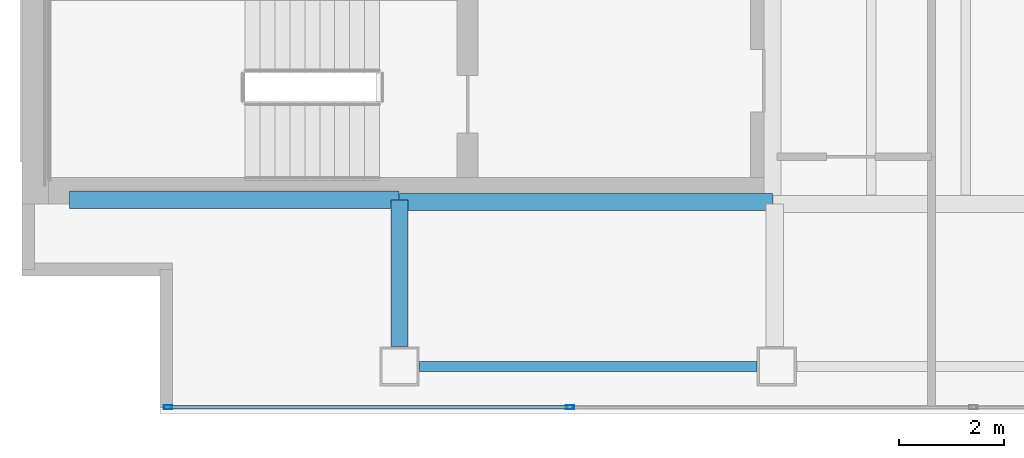
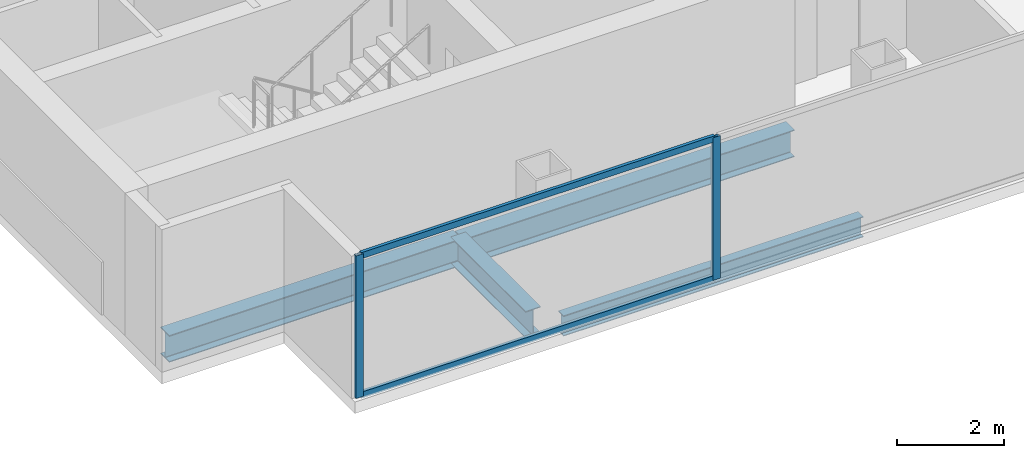
# One storey, part 2 of 23: 4 beams, 4 members, 1 element without a shape of its own.
"""IFC4 building model written with IfcOpenShell, lengths in metres."""

import ifcopenshell
import ifcopenshell.guid

model = None  # the IFC model being written
_history = None  # IfcOwnerHistory: only IFC2X3 demands one
_inside = {}  # id of a spatial element -> (the spatial element, [elements in it])
_under = {}  # id of a project, library or spatial element -> (it, [spatial elements below it])
_declared = {}  # id of a project -> (the project, [libraries it declares])
_typed = {}  # id of a type object -> (the type object, [elements of that type])
_made_of = {}  # id of a material, layer set ... -> (it, [elements and type objects made of it])


def new_model(schema):
    """Start an empty IFC model of exactly this schema.

    Asked for "IFC4X3", IfcOpenShell would pick the latest addendum, in which some entities
    have other attributes; the version numbers below select the first issue.
    IFC2X3 requires an IfcOwnerHistory on every rooted entity: one is made here for all.
    """
    global model, _history
    if schema == "IFC4X3":
        model = ifcopenshell.file(schema_version=(4, 3, 0, 0))
    else:
        model = ifcopenshell.file(schema=schema)
    _inside.clear()
    _under.clear()
    _declared.clear()
    _typed.clear()
    _made_of.clear()
    _history = None
    if model.schema == "IFC2X3":
        org = make("IfcOrganization", Name="unknown")
        user = make(
            "IfcPersonAndOrganization",
            ThePerson=make("IfcPerson", FamilyName="unknown"),
            TheOrganization=org,
        )
        app = make(
            "IfcApplication",
            ApplicationDeveloper=org,
            Version="unknown",
            ApplicationFullName="unknown",
            ApplicationIdentifier="unknown",
        )
        _history = make(
            "IfcOwnerHistory",
            OwningUser=user,
            OwningApplication=app,
            ChangeAction="ADDED",
            CreationDate=0,
        )
    return model


def make(cls, **values):
    """One entity of the class cls with the attributes given. An attribute that is None is left unset."""
    return model.create_entity(
        cls, **{name: value for name, value in values.items() if value is not None}
    )


def rooted(cls, **values):
    """An entity with a GlobalId (a new one), such as an element, a storey or a relation."""
    return make(cls, GlobalId=ifcopenshell.guid.new(), OwnerHistory=_history, **values)


def si_unit(unit_type, name, prefix=None):
    """IfcSIUnit, for example si_unit("LENGTHUNIT", "METRE", prefix="MILLI")."""
    return make("IfcSIUnit", UnitType=unit_type, Prefix=prefix, Name=name)


def assignment(units):
    """IfcUnitAssignment: the units of a project."""
    return None if units is None else make("IfcUnitAssignment", Units=units)


def point(xyz):
    """IfcCartesianPoint."""
    return None if xyz is None else make("IfcCartesianPoint", Coordinates=xyz)


def direction(xyz):
    """IfcDirection."""
    return None if xyz is None else make("IfcDirection", DirectionRatios=xyz)


def frame(location, z_axis=None, x_axis=None):
    """IfcAxis2Placement3D, a coordinate frame: its origin and axes. An axis left out is left unset."""
    return make(
        "IfcAxis2Placement3D",
        Location=point(location),
        Axis=direction(z_axis),
        RefDirection=direction(x_axis),
    )


def frame_2d(location, x_axis=None):
    """IfcAxis2Placement2D, a coordinate frame in the plane: its origin and x axis."""
    return make(
        "IfcAxis2Placement2D", Location=point(location), RefDirection=direction(x_axis)
    )


def origin():
    """The frame at (0, 0, 0) with its axes left unset."""
    return frame((0.0, 0.0, 0.0))


def origin_2d():
    """The frame at (0, 0) in the plane with its x axis left unset."""
    return frame_2d((0.0, 0.0))


def place(relative_to, where):
    """IfcLocalPlacement: puts the frame where relative to a parent placement (None: the world)."""
    return make(
        "IfcLocalPlacement", PlacementRelTo=relative_to, RelativePlacement=where
    )


def context(
    kind, dimensions, precision=None, world=None, true_north=None, identifier=None
):
    """IfcGeometricRepresentationContext, for example the 3D "Model" context."""
    return make(
        "IfcGeometricRepresentationContext",
        ContextIdentifier=identifier,
        ContextType=kind,
        CoordinateSpaceDimension=dimensions,
        Precision=precision,
        WorldCoordinateSystem=world,
        TrueNorth=true_north,
    )


def subcontext(parent, identifier, kind, view, scale=None):
    """IfcGeometricRepresentationSubContext, for example "Body" below "Model"."""
    return make(
        "IfcGeometricRepresentationSubContext",
        ContextIdentifier=identifier,
        ContextType=kind,
        ParentContext=parent,
        TargetScale=scale,
        TargetView=view,
    )


def project(units=None, contexts=None):
    """IfcProject with its units and contexts."""
    return rooted(
        "IfcProject",
        Name="project",
        RepresentationContexts=contexts,
        UnitsInContext=assignment(units),
    )


def spatial(cls, under=None, at=None, **own):
    """A site, building, storey or space (cls), placed at a placement, below another one or the project."""
    s = rooted(cls, ObjectPlacement=at, **own)
    if under is not None:
        _under.setdefault(under.id(), (under, []))[1].append(s)
    return s


def profile(cls, at=None, kind="AREA", **sizes):
    """A parametric profile (cls). Its sizes go by their IFC names, for example OverallWidth=200.0."""
    return make(cls, ProfileType=kind, Position=at, **sizes)


def hollow_rectangle(**sizes):
    """IfcRectangleHollowProfileDef."""
    return profile("IfcRectangleHollowProfileDef", **sizes)


def i_section(**sizes):
    """IfcIShapeProfileDef."""
    return profile("IfcIShapeProfileDef", **sizes)


def extrude(swept, where, along, depth):
    """IfcExtrudedAreaSolid: the profile swept, set in the frame where, extruded along a direction by depth."""
    return make(
        "IfcExtrudedAreaSolid",
        SweptArea=swept,
        Position=where,
        ExtrudedDirection=direction(along),
        Depth=depth,
    )


def shape(context_of_items, identifier, shape_type, items):
    """IfcShapeRepresentation: the items that make up one representation, for example the "Body"."""
    return make(
        "IfcShapeRepresentation",
        ContextOfItems=context_of_items,
        RepresentationIdentifier=identifier,
        RepresentationType=shape_type,
        Items=items,
    )


def material(Name=None, Category=None):
    """IfcMaterial."""
    return make("IfcMaterial", Name=Name, Category=Category)


def material_profile(
    of_material, cross_section, Name=None, Category=None, Priority=None
):
    """IfcMaterialProfile: a cross section and its material."""
    return make(
        "IfcMaterialProfile",
        Name=Name,
        Material=of_material,
        Profile=cross_section,
        Priority=Priority,
        Category=Category,
    )


def profile_set(profiles, Name=None, composite=None):
    """IfcMaterialProfileSet."""
    return make(
        "IfcMaterialProfileSet",
        Name=Name,
        MaterialProfiles=profiles,
        CompositeProfile=composite,
    )


def made_of(thing, what):
    """Note that an element or type object is made of a material, layer set ...; save() writes the relation."""
    if what is not None:
        _made_of.setdefault(what.id(), (what, []))[1].append(thing)
    return thing


def type_object(cls, material=None, **own):
    """A type object (cls), such as IfcWallType, which elements share."""
    return made_of(rooted(cls, **own), material)


def element(
    cls,
    number,
    at=None,
    inside=None,
    cuts=None,
    type_object=None,
    material=None,
    context=None,
    identifier="Body",
    shape_type=None,
    held_by="IfcProductDefinitionShape",
    body=None,
    shapes=None,
    **own,
):
    """One element of the class cls, such as IfcWall. Its Tag is "e" and its number.

    at: its placement. inside: the storey or other place that contains it. cuts: it is an
    opening in that element (IfcRelVoidsElement). A single representation is given by context,
    identifier, shape_type and body (its items); several are given by shapes. held_by: the class
    of the entity that holds the representations. save() writes the other relations.
    """
    e = rooted(cls, Tag="e%d" % number, ObjectPlacement=at, **own)
    if body is not None:
        shapes = [shape(context, identifier, shape_type, body)]
    if shapes is not None:
        e.Representation = make(held_by, Representations=shapes)
    if inside is not None:
        _inside.setdefault(inside.id(), (inside, []))[1].append(e)
    if cuts is not None:
        rooted(
            "IfcRelVoidsElement", RelatingBuildingElement=cuts, RelatedOpeningElement=e
        )
    if type_object is not None:
        _typed.setdefault(type_object.id(), (type_object, []))[1].append(e)
    return made_of(e, material)


def aggregate(whole, parts):
    """IfcRelAggregates: a whole, such as a stair, and the parts it consists of."""
    return rooted("IfcRelAggregates", RelatingObject=whole, RelatedObjects=parts)


def save(model, path):
    """Write the relations noted so far, then the file.

    IfcRelAggregates (storeys below a building ...), IfcRelContainedInSpatialStructure (elements
    in a storey), IfcRelDefinesByType, IfcRelAssociatesMaterial and IfcRelDeclares: one each for
    every whole, place, type object, material and project.
    """
    for whole, parts in _under.values():
        aggregate(whole, parts)
    for where, things in _inside.values():
        rooted(
            "IfcRelContainedInSpatialStructure",
            RelatedElements=things,
            RelatingStructure=where,
        )
    for kind, things in _typed.values():
        rooted("IfcRelDefinesByType", RelatedObjects=things, RelatingType=kind)
    for what, things in _made_of.values():
        rooted("IfcRelAssociatesMaterial", RelatedObjects=things, RelatingMaterial=what)
    for by, libraries in _declared.values():
        rooted("IfcRelDeclares", RelatingContext=by, RelatedDefinitions=libraries)
    model.write(path)


model = new_model("IFC4")

# Units and contexts
model_context = context("Model", 3, precision=1e-05, world=origin(), true_north=direction((0.0, 1.0)))
body_context = subcontext(model_context, "Body", "Model", "MODEL_VIEW")
ifc_project = project(units=[si_unit("LENGTHUNIT", "METRE"), si_unit("AREAUNIT", "SQUARE_METRE"), si_unit("VOLUMEUNIT", "CUBIC_METRE"), si_unit("PLANEANGLEUNIT", "RADIAN"), si_unit("MASSUNIT", "GRAM", prefix="KILO")], contexts=[model_context])

# Site, building, storey
site_placement = place(None, origin())
site = spatial("IfcSite", under=ifc_project, at=site_placement, CompositionType="ELEMENT")
building_placement = place(site_placement, origin())
building = spatial("IfcBuilding", under=site, at=building_placement, Name="Cobrela Telecom Tower", CompositionType="ELEMENT")
storey_placement = place(building_placement, frame((0.0, 0.0, 215.25)))
storey = spatial("IfcBuildingStorey", under=building, at=storey_placement, Name="L55", CompositionType="ELEMENT", Elevation=215.25)

# Beams
ifc_material_1 = material(Name="Steel ASTM A992 Grade 50", Category="steel")
ifc_material_profile_1 = material_profile(ifc_material_1, i_section(OverallWidth=0.324951171875, OverallDepth=0.612060546875, WebThickness=0.0126953125, FlangeThickness=0.01904296875, FilletRadius=0.014892578125, at=origin_2d()), Name="W24X104")
ifc_profile_set_1 = profile_set([ifc_material_profile_1], Name="Steel ASTM A992 Grade 50")
beam_type_1 = type_object("IfcBeamType", Name="BM-GIRD-07", PredefinedType="USERDEFINED", material=ifc_profile_set_1)
beam_1_placement = place(storey_placement, frame((0.905029296875, 7.280029296875, -0.56591796875), z_axis=(1.0, 0.0, 0.0), x_axis=(0.0, 1.0, 0.0)))
element("IfcBeam", 1, at=beam_1_placement, inside=storey, type_object=beam_type_1, Name="L55 Primary Girder X05", ObjectType="GIRDER", PredefinedType="USERDEFINED", context=body_context, shape_type="SweptSolid", body=[
    extrude(i_section(OverallWidth=0.324951171875, OverallDepth=0.612060546875, WebThickness=0.0126953125, FlangeThickness=0.01904296875, FilletRadius=0.014892578125, at=origin_2d()), origin(), (0.0, 0.0, 1.0), 6.2900390625),
])
beam_2_placement = place(storey_placement, frame((7.205078125, 7.239990234375, -0.56591796875), z_axis=(1.0, 0.0, 0.0), x_axis=(0.0, 1.0, 0.0)))
element("IfcBeam", 2, at=beam_2_placement, inside=storey, type_object=beam_type_1, Name="L55 Primary Girder X06", ObjectType="GIRDER", PredefinedType="USERDEFINED", context=body_context, shape_type="SweptSolid", body=[
    extrude(i_section(OverallWidth=0.324951171875, OverallDepth=0.612060546875, WebThickness=0.0126953125, FlangeThickness=0.01904296875, FilletRadius=0.014892578125, at=origin_2d()), origin(), (0.0, 0.0, 1.0), 7.10986328125),
])
beam_3_placement = place(storey_placement, frame((7.199951171875, 4.47998046875, -0.56591796875), z_axis=(0.0, 1.0, 0.0), x_axis=(-1.0, 0.0, 0.0)))
element("IfcBeam", 3, at=beam_3_placement, inside=storey, type_object=beam_type_1, Name="L55 Primary Girder Y24", ObjectType="GIRDER", PredefinedType="USERDEFINED", context=body_context, shape_type="SweptSolid", body=[
    extrude(i_section(OverallWidth=0.324951171875, OverallDepth=0.612060546875, WebThickness=0.0126953125, FlangeThickness=0.01904296875, FilletRadius=0.014892578125, at=origin_2d()), origin(), (0.0, 0.0, 1.0), 2.794921875),
])
ifc_material_profile_2 = material_profile(ifc_material_1, i_section(OverallWidth=0.193115234375, OverallDepth=0.467041015625, WebThickness=0.011474609375, FlangeThickness=0.01904296875, FilletRadius=0.012939453125, at=origin_2d()), Name="W18X65")
ifc_profile_set_2 = profile_set([ifc_material_profile_2], Name="Steel ASTM A992 Grade 50")
beam_type_2 = type_object("IfcBeamType", Name="BM-SPAND-05", PredefinedType="SPANDREL", material=ifc_profile_set_2)
beam_4_placement = place(storey_placement, frame((7.580078125, 4.10009765625, -0.493408203125), z_axis=(1.0, 0.0, 0.0), x_axis=(0.0, 1.0, 0.0)))
element("IfcBeam", 4, at=beam_4_placement, inside=storey, type_object=beam_type_2, Name="L55 Perimeter Spandrel X01", PredefinedType="SPANDREL", context=body_context, shape_type="SweptSolid", body=[
    extrude(i_section(OverallWidth=0.193115234375, OverallDepth=0.467041015625, WebThickness=0.011474609375, FlangeThickness=0.01904296875, FilletRadius=0.012939453125, at=origin_2d()), origin(), (0.0, 0.0, 1.0), 6.43994140625),
])

# Curtain wall, members
ifc_material_2 = material(Name="Anodized Bronze Aluminium 6063-T6", Category="aluminium")
curtain_wall_type = type_object("IfcCurtainWallType", Name="CW-SYS-OFF-LO", PredefinedType="USERDEFINED", material=ifc_material_2)
curtain_wall_placement = place(storey_placement, origin())
curtain_wall = element("IfcCurtainWall", 5, at=curtain_wall_placement, inside=storey, type_object=curtain_wall_type, Name="L55 Unitised Bronze Curtain Wall 17", ObjectType="UNITISED CURTAIN WALL", PredefinedType="USERDEFINED")
ifc_material_profile_3 = material_profile(ifc_material_2, hollow_rectangle(XDim=0.070068359375, YDim=0.159912109375, WallThickness=0.00390625, at=origin_2d()), Name="ALU 70x160x4")
ifc_profile_set_3 = profile_set([ifc_material_profile_3], Name="Anodized Bronze Aluminium 6063-T6")
member_type_1 = type_object("IfcMemberType", Name="CW-SYS-OFF-LO-MUL", PredefinedType="MULLION", material=ifc_profile_set_3)
member_1_placement = place(storey_placement, frame((10.449951171875, 3.320068359375, 0.0), z_axis=(0.0, 0.0, 1.0), x_axis=(0.0, -1.0, 0.0)))
member_1 = element("IfcMember", 6, at=member_1_placement, type_object=member_type_1, Name="CW-OFF-LO mullion 5", PredefinedType="MULLION", context=body_context, shape_type="SweptSolid", body=[
    extrude(hollow_rectangle(XDim=0.070068359375, YDim=0.159912109375, WallThickness=0.00390625, at=origin_2d()), origin(), (0.0, 0.0, 1.0), 3.239990234375),
])
member_2_placement = place(storey_placement, frame((2.784912109375, 3.320068359375, 0.0), z_axis=(0.0, 0.0, 1.0), x_axis=(0.0, -1.0, 0.0)))
member_2 = element("IfcMember", 7, at=member_2_placement, type_object=member_type_1, Name="CW-OFF-LO mullion 6", PredefinedType="MULLION", context=body_context, shape_type="SweptSolid", body=[
    extrude(hollow_rectangle(XDim=0.070068359375, YDim=0.159912109375, WallThickness=0.00390625, at=origin_2d()), origin(), (0.0, 0.0, 1.0), 3.239990234375),
])
ifc_material_profile_4 = material_profile(ifc_material_2, hollow_rectangle(XDim=0.070068359375, YDim=0.139892578125, WallThickness=0.00390625, at=origin_2d()), Name="ALU 70x140x4")
ifc_profile_set_4 = profile_set([ifc_material_profile_4], Name="Anodized Bronze Aluminium 6063-T6")
member_type_2 = type_object("IfcMemberType", Name="CW-SYS-OFF-LO-TRN", PredefinedType="USERDEFINED", material=ifc_profile_set_4)
member_3_placement = place(storey_placement, frame((10.4150390625, 3.320068359375, 0.034912109375), z_axis=(-1.0, 0.0, 0.0), x_axis=(0.0, -1.0, 0.0)))
member_3 = element("IfcMember", 8, at=member_3_placement, type_object=member_type_2, Name="CW-OFF-LO transom 5.1", ObjectType="TRANSOM", PredefinedType="USERDEFINED", context=body_context, shape_type="SweptSolid", body=[
    extrude(hollow_rectangle(XDim=0.070068359375, YDim=0.139892578125, WallThickness=0.00390625, at=origin_2d()), origin(), (0.0, 0.0, 1.0), 7.594970703125),
])
member_4_placement = place(storey_placement, frame((10.4150390625, 3.320068359375, 3.205078125), z_axis=(-1.0, 0.0, 0.0), x_axis=(0.0, -1.0, 0.0)))
member_4 = element("IfcMember", 9, at=member_4_placement, type_object=member_type_2, Name="CW-OFF-LO transom 5.2", ObjectType="TRANSOM", PredefinedType="USERDEFINED", context=body_context, shape_type="SweptSolid", body=[
    extrude(hollow_rectangle(XDim=0.070068359375, YDim=0.139892578125, WallThickness=0.00390625, at=origin_2d()), origin(), (0.0, 0.0, 1.0), 7.594970703125),
])
aggregate(curtain_wall, [member_1, member_2, member_3, member_4])

save(model, "model.ifc")
